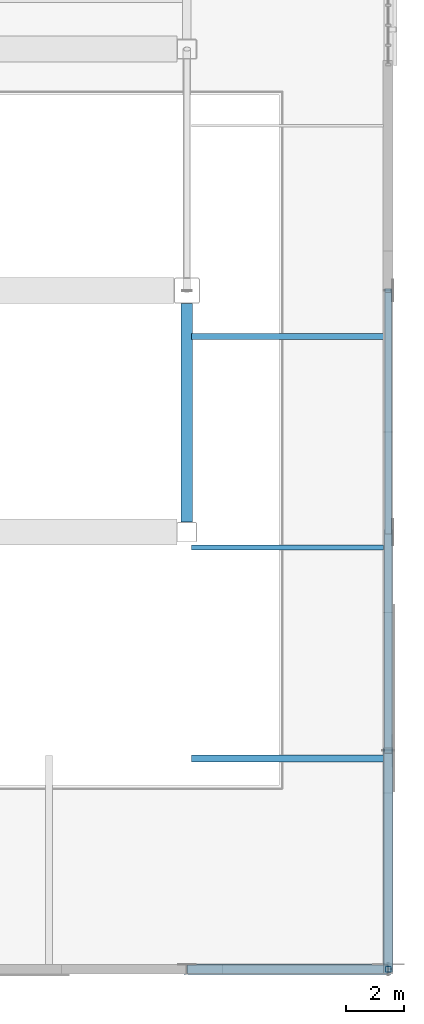
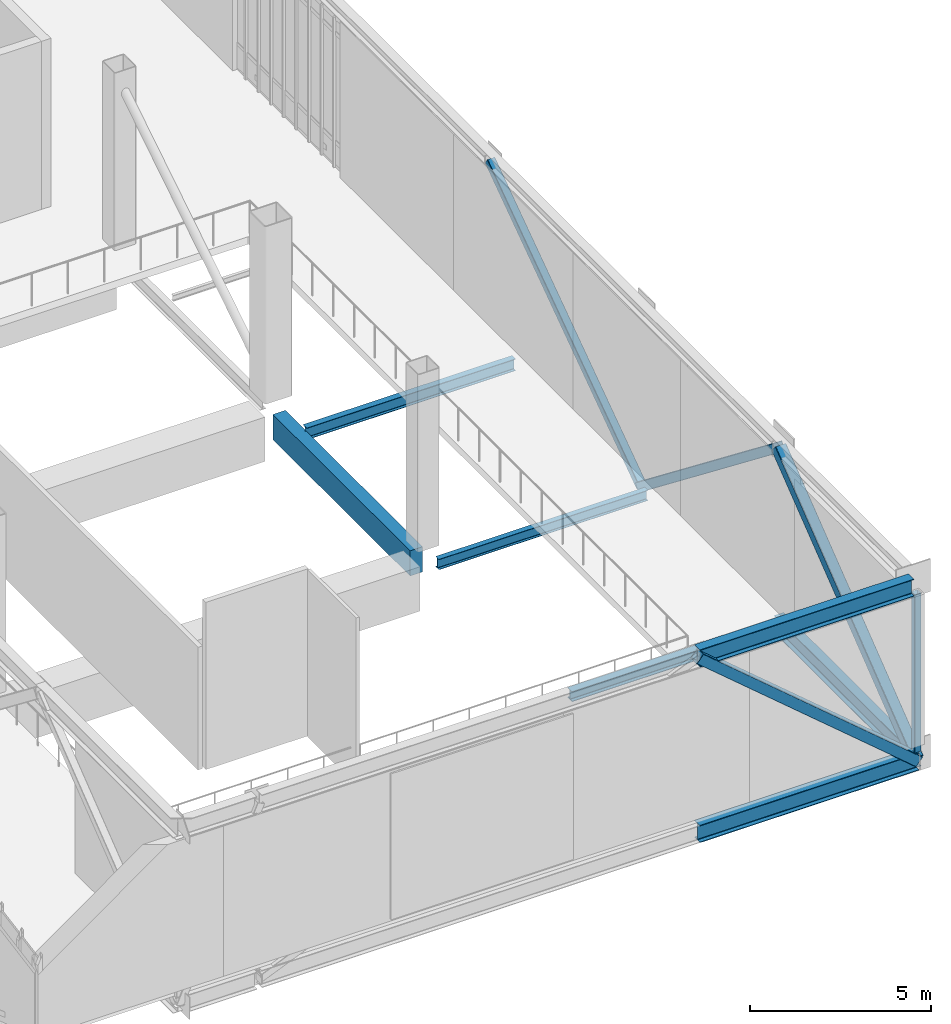
# One storey, part 38 of 135: 7 beams, 5 members.
"""IFC4 building model written with IfcOpenShell, lengths in metres."""

from ifc_helpers import new_model, si_unit, direction, frame, origin, origin_2d, place, context, subcontext, project, spatial, rectangle, hollow_rectangle, i_section, extrude, material, material_profile, profile_set, type_object, element, save


model = new_model("IFC4")

# Units and contexts
model_context = context("Model", 3, precision=1e-05, world=origin(), true_north=direction((0.0, 1.0)))
body_context = subcontext(model_context, "Body", "Model", "MODEL_VIEW")
ifc_project = project(units=[si_unit("LENGTHUNIT", "METRE"), si_unit("AREAUNIT", "SQUARE_METRE"), si_unit("VOLUMEUNIT", "CUBIC_METRE"), si_unit("PLANEANGLEUNIT", "RADIAN"), si_unit("MASSUNIT", "GRAM", prefix="KILO")], contexts=[model_context])

# Site, building, storey
site_placement = place(None, origin())
site = spatial("IfcSite", under=ifc_project, at=site_placement, CompositionType="ELEMENT")
building_placement = place(site_placement, origin())
building = spatial("IfcBuilding", under=site, at=building_placement, Name="Larkvane Passage Sports Hall", CompositionType="ELEMENT")
storey_placement = place(building_placement, frame((0.0, 0.0, 10.800048828125)))
storey = spatial("IfcBuildingStorey", under=building, at=storey_placement, Name="L02", CompositionType="ELEMENT", Elevation=10.800048828125)

# Beams
ifc_material_1 = material(Name="Steel S460N", Category="steel")
ifc_material_profile_1 = material_profile(ifc_material_1, i_section(OverallWidth=0.300048828125, OverallDepth=0.587890625, WebThickness=0.011962890625, FlangeThickness=0.02001953125, FilletRadius=0.02197265625, at=origin_2d()), Name="H-588x300x12x20")
ifc_profile_set_1 = profile_set([ifc_material_profile_1], Name="Steel S460N")
beam_type_1 = type_object("IfcBeamType", Name="BM-STL-H588", PredefinedType="BEAM", material=ifc_profile_set_1)
beam_1_placement = place(storey_placement, frame((145.60009765625, 7.60009765625, -0.5439453125), z_axis=(1.0, 0.0, 0.0), x_axis=(0.0, 1.0, 0.0)))
element("IfcBeam", 1, at=beam_1_placement, inside=storey, type_object=beam_type_1, Name="Cantilever truss CT-E2A-1 bottom chord 2", PredefinedType="BEAM", context=body_context, shape_type="SweptSolid", body=[
    extrude(i_section(OverallWidth=0.300048828125, OverallDepth=0.587890625, WebThickness=0.011962890625, FlangeThickness=0.02001953125, FilletRadius=0.02197265625, at=origin_2d()), origin(), (0.0, 0.0, 1.0), 7.0),
])
beam_2_placement = place(storey_placement, frame((145.60009765625, 7.60009765625, 5.385986328125), z_axis=(1.0, 0.0, 0.0), x_axis=(0.0, 1.0, 0.0)))
element("IfcBeam", 2, at=beam_2_placement, inside=storey, type_object=beam_type_1, Name="Cantilever truss CT-E2A-1 top chord 2", PredefinedType="BEAM", context=body_context, shape_type="SweptSolid", body=[
    extrude(i_section(OverallWidth=0.300048828125, OverallDepth=0.587890625, WebThickness=0.011962890625, FlangeThickness=0.02001953125, FilletRadius=0.02197265625, at=origin_2d()), origin(), (0.0, 0.0, 1.0), 6.844970703125),
])
beam_3_placement = place(storey_placement, frame((152.60009765625, 7.60009765625, -0.5439453125), z_axis=(0.0, 1.0, 0.0), x_axis=(-1.0, 0.0, 0.0)))
element("IfcBeam", 3, at=beam_3_placement, inside=storey, type_object=beam_type_1, Name="Cantilever truss CT-S2A-2 bottom chord 1", PredefinedType="BEAM", context=body_context, shape_type="SweptSolid", body=[
    extrude(i_section(OverallWidth=0.300048828125, OverallDepth=0.587890625, WebThickness=0.011962890625, FlangeThickness=0.02001953125, FilletRadius=0.02197265625, at=origin_2d()), origin(), (0.0, 0.0, 1.0), 7.599853515625),
])
ifc_material_2 = material(Name="Steel S355JR", Category="steel")
ifc_material_profile_2 = material_profile(ifc_material_2, i_section(OverallWidth=0.25, OverallDepth=0.340087890625, WebThickness=0.009033203125, FlangeThickness=0.013916015625, FilletRadius=0.012939453125, at=origin_2d()), Name="H-340x250x9x14")
ifc_profile_set_2 = profile_set([ifc_material_profile_2], Name="Steel S355JR")
beam_type_2 = type_object("IfcBeamType", Name="JST-STL-H340", PredefinedType="JOIST", material=ifc_profile_set_2)
beam_4_placement = place(storey_placement, frame((145.760009765625, 14.933349609375, -0.420166015625), z_axis=(1.0, 0.0, 0.0), x_axis=(0.0, 1.0, 0.0)))
element("IfcBeam", 4, at=beam_4_placement, inside=storey, type_object=beam_type_2, Name="Cantilever floor joist CT-E2A--2-1", PredefinedType="JOIST", context=body_context, shape_type="SweptSolid", body=[
    extrude(i_section(OverallWidth=0.25, OverallDepth=0.340087890625, WebThickness=0.009033203125, FlangeThickness=0.013916015625, FilletRadius=0.012939453125, at=origin_2d()), origin(), (0.0, 0.0, 1.0), 6.679931640625),
])
ifc_material_profile_3 = material_profile(ifc_material_2, i_section(OverallWidth=0.175048828125, OverallDepth=0.35009765625, WebThickness=0.007080078125, FlangeThickness=0.010986328125, FilletRadius=0.012939453125, at=origin_2d()), Name="H-350x175x7x11")
ifc_profile_set_3 = profile_set([ifc_material_profile_3], Name="Steel S355JR")
beam_type_3 = type_object("IfcBeamType", Name="JST-STL-H350", PredefinedType="JOIST", material=ifc_profile_set_3)
beam_5_placement = place(storey_placement, frame((145.760009765625, 22.2666015625, -0.425048828125), z_axis=(1.0, 0.0, 0.0), x_axis=(0.0, 1.0, 0.0)))
element("IfcBeam", 5, at=beam_5_placement, inside=storey, type_object=beam_type_3, Name="Cantilever floor joist CT-E2A--2-2", PredefinedType="JOIST", context=body_context, shape_type="SweptSolid", body=[
    extrude(i_section(OverallWidth=0.175048828125, OverallDepth=0.35009765625, WebThickness=0.007080078125, FlangeThickness=0.010986328125, FilletRadius=0.012939453125, at=origin_2d()), origin(), (0.0, 0.0, 1.0), 6.679931640625),
])
ifc_material_profile_4 = material_profile(ifc_material_2, i_section(OverallWidth=0.199951171875, OverallDepth=0.39990234375, WebThickness=0.008056640625, FlangeThickness=0.012939453125, FilletRadius=0.012939453125, at=origin_2d()), Name="H-400x200x8x13")
ifc_profile_set_4 = profile_set([ifc_material_profile_4], Name="Steel S355JR")
beam_type_4 = type_object("IfcBeamType", Name="JST-STL-H400", PredefinedType="JOIST", material=ifc_profile_set_4)
beam_6_placement = place(storey_placement, frame((145.760009765625, 29.60009765625, -0.449951171875), z_axis=(1.0, 0.0, 0.0), x_axis=(0.0, 1.0, 0.0)))
element("IfcBeam", 6, at=beam_6_placement, inside=storey, type_object=beam_type_4, Name="Cantilever floor joist CT-E2A--2-3", PredefinedType="JOIST", context=body_context, shape_type="SweptSolid", body=[
    extrude(i_section(OverallWidth=0.199951171875, OverallDepth=0.39990234375, WebThickness=0.008056640625, FlangeThickness=0.012939453125, FilletRadius=0.012939453125, at=origin_2d()), origin(), (0.0, 0.0, 1.0), 6.679931640625),
])

# Members
ifc_material_profile_5 = material_profile(ifc_material_1, hollow_rectangle(XDim=0.25, YDim=0.25, WallThickness=0.011962890625, InnerFilletRadius=0.011962890625, OuterFilletRadius=0.02392578125, at=origin_2d()), Name="SHS-250x250x12")
ifc_profile_set_5 = profile_set([ifc_material_profile_5], Name="Steel S460N")
member_type_1 = type_object("IfcMemberType", Name="MBR-BR-SHS250", PredefinedType="BRACE", material=ifc_profile_set_5)
member_1_placement = place(storey_placement, frame((152.60009765625, 22.800048828125, -0.5439453125), z_axis=(0.0, 0.816940882886, 0.576721417904), x_axis=(-1.0, 0.0, 0.0)))
element("IfcMember", 7, at=member_1_placement, inside=storey, type_object=member_type_1, Name="Cantilever truss CT-S2A-2 web diagonal 3", PredefinedType="BRACE", context=body_context, shape_type="SweptSolid", body=[
    extrude(hollow_rectangle(XDim=0.25, YDim=0.25, WallThickness=0.011962890625, InnerFilletRadius=0.011962890625, OuterFilletRadius=0.02392578125, at=origin_2d()), origin(), (0.0, 0.0, 1.0), 10.2822265625),
])
ifc_material_profile_6 = material_profile(ifc_material_1, hollow_rectangle(XDim=0.300048828125, YDim=0.300048828125, WallThickness=0.011962890625, InnerFilletRadius=0.011962890625, OuterFilletRadius=0.02392578125, at=origin_2d()), Name="SHS-300x300x12")
ifc_profile_set_6 = profile_set([ifc_material_profile_6], Name="Steel S460N")
member_type_2 = type_object("IfcMemberType", Name="MBR-BR-SHS300", PredefinedType="BRACE", material=ifc_profile_set_6)
member_2_placement = place(storey_placement, frame((152.60009765625, 15.199951171875, 5.385986328125), z_axis=(0.0, 0.788408952904, -0.615151463447), x_axis=(-1.0, 0.0, 0.0)))
element("IfcMember", 8, at=member_2_placement, inside=storey, type_object=member_type_2, Name="Cantilever truss CT-S2A-2 web diagonal 2", PredefinedType="BRACE", context=body_context, shape_type="SweptSolid", body=[
    extrude(hollow_rectangle(XDim=0.300048828125, YDim=0.300048828125, WallThickness=0.011962890625, InnerFilletRadius=0.011962890625, OuterFilletRadius=0.02392578125, at=origin_2d()), origin(), (0.0, 0.0, 1.0), 9.639892578125),
])
ifc_material_profile_7 = material_profile(ifc_material_1, hollow_rectangle(XDim=0.35009765625, YDim=0.35009765625, WallThickness=0.01611328125, InnerFilletRadius=0.01611328125, OuterFilletRadius=0.031982421875, at=origin_2d()), Name="SHS-350x350x16")
ifc_profile_set_7 = profile_set([ifc_material_profile_7], Name="Steel S460N")
member_type_3 = type_object("IfcMemberType", Name="MBR-BR-SHS350", PredefinedType="BRACE", material=ifc_profile_set_7)
member_3_placement = place(storey_placement, frame((145.60009765625, 7.60009765625, 5.385986328125), z_axis=(0.76301772338, 0.0, -0.64637756289), x_axis=(0.0, 1.0, 0.0)))
element("IfcMember", 9, at=member_3_placement, inside=storey, type_object=member_type_3, Name="Cantilever truss CT-E2A-1 web diagonal 2", PredefinedType="BRACE", context=body_context, shape_type="SweptSolid", body=[
    extrude(hollow_rectangle(XDim=0.35009765625, YDim=0.35009765625, WallThickness=0.01611328125, InnerFilletRadius=0.01611328125, OuterFilletRadius=0.031982421875, at=origin_2d()), origin(), (0.0, 0.0, 1.0), 9.174072265625),
])
member_4_placement = place(storey_placement, frame((152.60009765625, 7.60009765625, -0.5439453125), z_axis=(0.0, 0.788399368844, 0.615163746662), x_axis=(-1.0, 0.0, 0.0)))
element("IfcMember", 10, at=member_4_placement, inside=storey, type_object=member_type_3, Name="Cantilever truss CT-S2A-2 web diagonal 1", PredefinedType="BRACE", context=body_context, shape_type="SweptSolid", body=[
    extrude(hollow_rectangle(XDim=0.35009765625, YDim=0.35009765625, WallThickness=0.01611328125, InnerFilletRadius=0.01611328125, OuterFilletRadius=0.031982421875, at=origin_2d()), origin(), (0.0, 0.0, 1.0), 9.6396484375),
])
ifc_material_profile_8 = material_profile(ifc_material_1, hollow_rectangle(XDim=0.199951171875, YDim=0.199951171875, WallThickness=0.009033203125, InnerFilletRadius=0.009033203125, OuterFilletRadius=0.01806640625, at=origin_2d()), Name="SHS-200x200x9")
ifc_profile_set_8 = profile_set([ifc_material_profile_8], Name="Steel S460N")
member_type_4 = type_object("IfcMemberType", Name="MBR-ST-SHS200", PredefinedType="STRUT", material=ifc_profile_set_8)
member_5_placement = place(storey_placement, frame((152.60009765625, 7.60009765625, -0.25), z_axis=(0.0, 0.0, 1.0), x_axis=(1.0, 0.0, 0.0)))
element("IfcMember", 11, at=member_5_placement, inside=storey, type_object=member_type_4, Name="Cantilever truss CT-E2A-1 vertical post 3", PredefinedType="STRUT", context=body_context, shape_type="SweptSolid", body=[
    extrude(hollow_rectangle(XDim=0.199951171875, YDim=0.199951171875, WallThickness=0.009033203125, InnerFilletRadius=0.009033203125, OuterFilletRadius=0.01806640625, at=origin_2d()), origin(), (0.0, 0.0, 1.0), 5.342041015625),
])

# Beam
ifc_material_3 = material(Name="Concrete C40/50", Category="concrete")
ifc_material_profile_9 = material_profile(ifc_material_3, rectangle(XDim=0.39990234375, YDim=0.85009765625, at=origin_2d()), Name="RC-SP-400x850")
ifc_profile_set_9 = profile_set([ifc_material_profile_9], Name="Concrete C40/50")
beam_type_5 = type_object("IfcBeamType", Name="SP-RC-400x850", PredefinedType="SPANDREL", material=ifc_profile_set_9)
beam_7_placement = place(storey_placement, frame((145.60009765625, 23.14990234375, -0.844970703125), z_axis=(0.0, 1.0, 0.0), x_axis=(-1.0, 0.0, 0.0)))
element("IfcBeam", 12, at=beam_7_placement, inside=storey, type_object=beam_type_5, Name="Girder BM5-Y-L02-19-0790", PredefinedType="SPANDREL", context=body_context, shape_type="SweptSolid", body=[
    extrude(rectangle(XDim=0.39990234375, YDim=0.85009765625, at=origin_2d()), origin(), (0.0, 0.0, 1.0), 7.60009765625),
])

save(model, "model.ifc")
